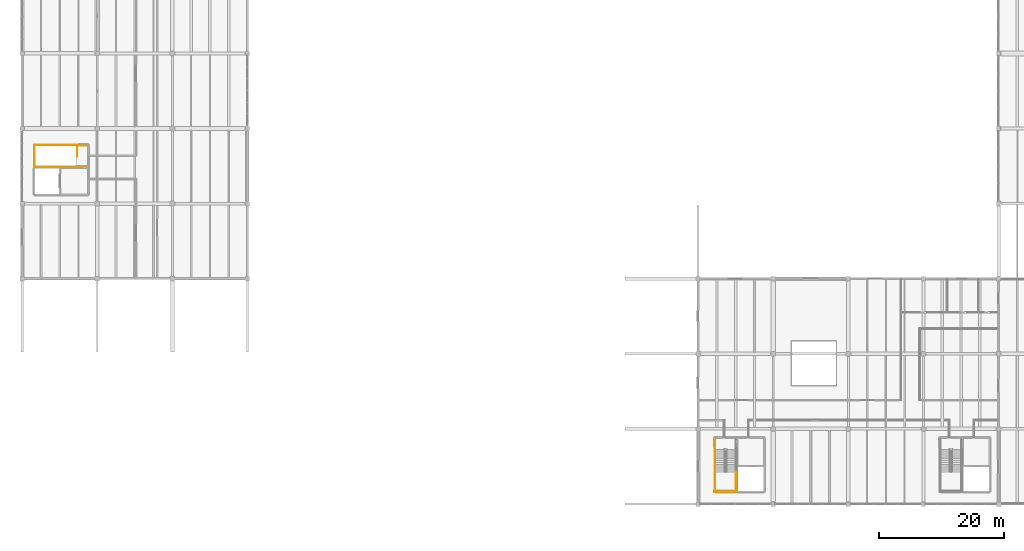
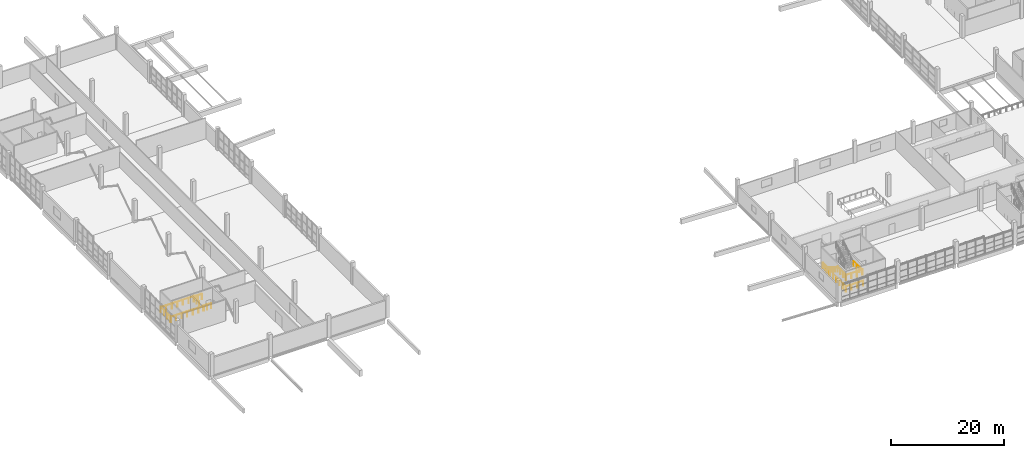
# One storey, part 44 of 49: 13 railings.
"""IFC4 building model written with IfcOpenShell, lengths in metres."""

from ifc_helpers import new_model, si_unit, direction, frame, origin, origin_2d, place, context, subcontext, project, spatial, circle, extrude, material, type_object, element, save


model = new_model("IFC4")

# Units and contexts
model_context = context("Model", 3, precision=1e-05, world=origin(), true_north=direction((0.0, 1.0)))
body_context = subcontext(model_context, "Body", "Model", "MODEL_VIEW")
ifc_project = project(units=[si_unit("LENGTHUNIT", "METRE"), si_unit("AREAUNIT", "SQUARE_METRE"), si_unit("VOLUMEUNIT", "CUBIC_METRE"), si_unit("PLANEANGLEUNIT", "RADIAN"), si_unit("MASSUNIT", "GRAM", prefix="KILO")], contexts=[model_context])

# Site, building, storey
site_placement = place(None, origin())
site = spatial("IfcSite", under=ifc_project, at=site_placement, CompositionType="ELEMENT")
building_placement = place(site_placement, origin())
building = spatial("IfcBuilding", under=site, at=building_placement, Name="Kamomehara Wholesale Market", CompositionType="ELEMENT")
storey_placement = place(building_placement, frame((0.0, 0.0, 11.39990234375)))
storey = spatial("IfcBuildingStorey", under=building, at=storey_placement, Name="L02", CompositionType="ELEMENT", Elevation=11.39990234375)

# Railings
ifc_material_1 = material(Name="Steel SN400B", Category="steel")
railing_type_1 = type_object("IfcRailingType", Name="RAL-HND-900", PredefinedType="HANDRAIL", material=ifc_material_1)
railing_1_placement = place(storey_placement, frame((110.75, 20.75, 0.184814453125)))
element("IfcRailing", 1, at=railing_1_placement, inside=storey, type_object=railing_type_1, Name="L02 ST-07 stair handrail 1", PredefinedType="HANDRAIL", context=body_context, shape_type="SweptSolid", body=[
    extrude(circle(Radius=0.02392578125, at=origin_2d()), frame((0.0, 0.0, 0.8759765625), z_axis=(0.0, -0.85167021472, 0.524078090897), x_axis=(1.0, 0.0, 0.0)), (0.0, 0.0, 1.0), 4.22705078125),
    extrude(circle(Radius=0.02099609375, at=origin_2d()), origin(), (0.0, 0.0, 1.0), 0.851806640625),
    extrude(circle(Radius=0.02099609375, at=origin_2d()), frame((0.0, -0.89990234375, 0.5537109375)), (0.0, 0.0, 1.0), 0.851806640625),
    extrude(circle(Radius=0.02099609375, at=origin_2d()), frame((0.0, -1.800048828125, 1.107666015625)), (0.0, 0.0, 1.0), 0.851806640625),
    extrude(circle(Radius=0.02099609375, at=origin_2d()), frame((0.0, -2.7001953125, 1.66162109375)), (0.0, 0.0, 1.0), 0.851806640625),
    extrude(circle(Radius=0.02099609375, at=origin_2d()), frame((0.0, -3.60009765625, 2.21533203125)), (0.0, 0.0, 1.0), 0.851806640625),
])
ifc_material_2 = material(Name="Steel SN400B", Category="steel")
railing_type_2 = type_object("IfcRailingType", Name="RAL-INT-1100", PredefinedType="BALUSTRADE", material=ifc_material_2)
railing_2_placement = place(storey_placement, frame((8.800048828125, 69.300048828125, 0.0)))
element("IfcRailing", 2, at=railing_2_placement, inside=storey, type_object=railing_type_2, Name="L02 ST-03 top well guard 1", PredefinedType="BALUSTRADE", context=body_context, shape_type="SweptSolid", body=[
    extrude(circle(Radius=0.02392578125, at=origin_2d()), frame((0.0, 0.0, 1.09619140625), z_axis=(0.0, -1.0, 0.0), x_axis=(1.0, 0.0, 0.0)), (0.0, 0.0, 1.0), 1.800048828125),
    extrude(circle(Radius=0.02099609375, at=origin_2d()), origin(), (0.0, 0.0, 1.0), 1.072021484375),
    extrude(circle(Radius=0.02099609375, at=origin_2d()), frame((0.0, -0.89990234375, 0.0)), (0.0, 0.0, 1.0), 1.072021484375),
    extrude(circle(Radius=0.02099609375, at=origin_2d()), frame((0.0, -1.800048828125, 0.0)), (0.0, 0.0, 1.0), 1.072021484375),
])
for number, where, name in (
    (3, (8.85009765625, 69.35009765625, 0.0), "L02 ST-03 top well guard 2"),
    (4, (8.85009765625, 65.85009765625, 0.0), "L02 ST-03 top well guard 3"),
):
    element("IfcRailing", number, at=place(storey_placement, frame(where)), inside=storey, type_object=railing_type_2, Name=name, PredefinedType="BALUSTRADE", context=body_context, shape_type="SweptSolid", body=[
        extrude(circle(Radius=0.02392578125, at=origin_2d()), frame((0.0, 0.0, 1.09619140625), z_axis=(-1.0, 0.0, 0.0), x_axis=(0.0, -1.0, 0.0)), (0.0, 0.0, 1.0), 6.900146484375),
        extrude(circle(Radius=0.02099609375, at=origin_2d()), origin(), (0.0, 0.0, 1.0), 1.072021484375),
        extrude(circle(Radius=0.02099609375, at=origin_2d()), frame((-1.14990234375, 0.0, 0.0)), (0.0, 0.0, 1.0), 1.072021484375),
        extrude(circle(Radius=0.02099609375, at=origin_2d()), frame((-2.300048828125, 0.0, 0.0)), (0.0, 0.0, 1.0), 1.072021484375),
        extrude(circle(Radius=0.02099609375, at=origin_2d()), frame((-3.4501953125, 0.0, 0.0)), (0.0, 0.0, 1.0), 1.072021484375),
        extrude(circle(Radius=0.02099609375, at=origin_2d()), frame((-4.60009765625, 0.0, 0.0)), (0.0, 0.0, 1.0), 1.072021484375),
        extrude(circle(Radius=0.02099609375, at=origin_2d()), frame((-5.75, 0.0, 0.0)), (0.0, 0.0, 1.0), 1.072021484375),
        extrude(circle(Radius=0.02099609375, at=origin_2d()), frame((-6.900146484375, 0.0, 0.0)), (0.0, 0.0, 1.0), 1.072021484375),
    ])
railing_3_placement = place(storey_placement, frame((2.0, 69.39990234375, 0.0)))
element("IfcRailing", 5, at=railing_3_placement, inside=storey, type_object=railing_type_2, Name="L02 ST-03 top well guard 4", PredefinedType="BALUSTRADE", context=body_context, shape_type="SweptSolid", body=[
    extrude(circle(Radius=0.02392578125, at=origin_2d()), frame((0.0, 0.0, 1.09619140625), z_axis=(0.0, -1.0, 0.0), x_axis=(1.0, 0.0, 0.0)), (0.0, 0.0, 1.0), 3.599853515625),
    extrude(circle(Radius=0.02099609375, at=origin_2d()), origin(), (0.0, 0.0, 1.0), 1.072021484375),
    extrude(circle(Radius=0.02099609375, at=origin_2d()), frame((0.0, -1.199951171875, 0.0)), (0.0, 0.0, 1.0), 1.072021484375),
    extrude(circle(Radius=0.02099609375, at=origin_2d()), frame((0.0, -2.39990234375, 0.0)), (0.0, 0.0, 1.0), 1.072021484375),
    extrude(circle(Radius=0.02099609375, at=origin_2d()), frame((0.0, -3.599853515625, 0.0)), (0.0, 0.0, 1.0), 1.072021484375),
])
for number, where, name in (
    (6, (10.35009765625, 69.25, 0.0), "L02 ST-03 top well guard 5"),
    (7, (10.35009765625, 65.949951171875, 0.0), "L02 ST-03 top well guard 6"),
):
    element("IfcRailing", number, at=place(storey_placement, frame(where)), inside=storey, type_object=railing_type_2, Name=name, PredefinedType="BALUSTRADE", context=body_context, shape_type="SweptSolid", body=[
        extrude(circle(Radius=0.02392578125, at=origin_2d()), frame((0.0, 0.0, 1.09619140625), z_axis=(-1.0, 0.0, 0.0), x_axis=(0.0, -1.0, 0.0)), (0.0, 0.0, 1.0), 1.60009765625),
        extrude(circle(Radius=0.02099609375, at=origin_2d()), origin(), (0.0, 0.0, 1.0), 1.072021484375),
        extrude(circle(Radius=0.02099609375, at=origin_2d()), frame((-0.800048828125, 0.0, 0.0)), (0.0, 0.0, 1.0), 1.072021484375),
        extrude(circle(Radius=0.02099609375, at=origin_2d()), frame((-1.60009765625, 0.0, 0.0)), (0.0, 0.0, 1.0), 1.072021484375),
    ])
for number, where, name in (
    (8, (110.75, 17.14990234375, 2.400146484375), "L02 ST-07 stair guard 3"),
    (9, (114.050048828125, 17.14990234375, 2.400146484375), "L02 ST-07 stair guard 4"),
):
    element("IfcRailing", number, at=place(storey_placement, frame(where)), inside=storey, type_object=railing_type_2, Name=name, PredefinedType="BALUSTRADE", context=body_context, shape_type="SweptSolid", body=[
        extrude(circle(Radius=0.02392578125, at=origin_2d()), frame((0.0, 0.0, 1.09619140625), z_axis=(0.0, -1.0, 0.0), x_axis=(1.0, 0.0, 0.0)), (0.0, 0.0, 1.0), 3.099853515625),
        extrude(circle(Radius=0.02099609375, at=origin_2d()), origin(), (0.0, 0.0, 1.0), 1.072021484375),
        extrude(circle(Radius=0.02099609375, at=origin_2d()), frame((0.0, -1.033203125, 0.0)), (0.0, 0.0, 1.0), 1.072021484375),
        extrude(circle(Radius=0.02099609375, at=origin_2d()), frame((0.0, -2.066650390625, 0.0)), (0.0, 0.0, 1.0), 1.072021484375),
        extrude(circle(Radius=0.02099609375, at=origin_2d()), frame((0.0, -3.099853515625, 0.0)), (0.0, 0.0, 1.0), 1.072021484375),
    ])
railing_4_placement = place(storey_placement, frame((110.699951171875, 14.10009765625, 2.400146484375)))
element("IfcRailing", 10, at=railing_4_placement, inside=storey, type_object=railing_type_2, Name="L02 ST-07 stair guard 5", PredefinedType="BALUSTRADE", context=body_context, shape_type="SweptSolid", body=[
    extrude(circle(Radius=0.02392578125, at=origin_2d()), frame((0.0, 0.0, 1.09619140625), z_axis=(1.0, 0.0, 0.0), x_axis=(0.0, 1.0, 0.0)), (0.0, 0.0, 1.0), 3.400146484375),
    extrude(circle(Radius=0.02099609375, at=origin_2d()), origin(), (0.0, 0.0, 1.0), 1.072021484375),
    extrude(circle(Radius=0.02099609375, at=origin_2d()), frame((1.13330078125, 0.0, 0.0)), (0.0, 0.0, 1.0), 1.072021484375),
    extrude(circle(Radius=0.02099609375, at=origin_2d()), frame((2.266845703125, 0.0, 0.0)), (0.0, 0.0, 1.0), 1.072021484375),
    extrude(circle(Radius=0.02099609375, at=origin_2d()), frame((3.400146484375, 0.0, 0.0)), (0.0, 0.0, 1.0), 1.072021484375),
])
railing_5_placement = place(storey_placement, frame((110.75, 22.35009765625, 0.0)))
element("IfcRailing", 11, at=railing_5_placement, inside=storey, type_object=railing_type_2, Name="L02 ST-07 stair guard 8", PredefinedType="BALUSTRADE", context=body_context, shape_type="SweptSolid", body=[
    extrude(circle(Radius=0.02392578125, at=origin_2d()), frame((0.0, 0.0, 1.09619140625), z_axis=(0.0, -1.0, 0.0), x_axis=(1.0, 0.0, 0.0)), (0.0, 0.0, 1.0), 1.60009765625),
    extrude(circle(Radius=0.02099609375, at=origin_2d()), origin(), (0.0, 0.0, 1.0), 1.072021484375),
    extrude(circle(Radius=0.02099609375, at=origin_2d()), frame((0.0, -0.800048828125, 0.0)), (0.0, 0.0, 1.0), 1.072021484375),
    extrude(circle(Radius=0.02099609375, at=origin_2d()), frame((0.0, -1.60009765625, 0.0)), (0.0, 0.0, 1.0), 1.072021484375),
])
railing_6_placement = place(storey_placement, frame((110.64990234375, 20.85009765625, 0.0)))
element("IfcRailing", 12, at=railing_6_placement, inside=storey, type_object=railing_type_2, Name="L02 ST-07 stair guard 10", PredefinedType="BALUSTRADE", context=body_context, shape_type="SweptSolid", body=[
    extrude(circle(Radius=0.02392578125, at=origin_2d()), frame((0.0, 0.0, 1.09619140625), z_axis=(0.0, -1.0, 0.0), x_axis=(1.0, 0.0, 0.0)), (0.0, 0.0, 1.0), 6.900146484375),
    extrude(circle(Radius=0.02099609375, at=origin_2d()), origin(), (0.0, 0.0, 1.0), 1.072021484375),
    extrude(circle(Radius=0.02099609375, at=origin_2d()), frame((0.0, -1.14990234375, 0.0)), (0.0, 0.0, 1.0), 1.072021484375),
    extrude(circle(Radius=0.02099609375, at=origin_2d()), frame((0.0, -2.300048828125, 0.0)), (0.0, 0.0, 1.0), 1.072021484375),
    extrude(circle(Radius=0.02099609375, at=origin_2d()), frame((0.0, -3.4501953125, 0.0)), (0.0, 0.0, 1.0), 1.072021484375),
    extrude(circle(Radius=0.02099609375, at=origin_2d()), frame((0.0, -4.60009765625, 0.0)), (0.0, 0.0, 1.0), 1.072021484375),
    extrude(circle(Radius=0.02099609375, at=origin_2d()), frame((0.0, -5.75, 0.0)), (0.0, 0.0, 1.0), 1.072021484375),
    extrude(circle(Radius=0.02099609375, at=origin_2d()), frame((0.0, -6.900146484375, 0.0)), (0.0, 0.0, 1.0), 1.072021484375),
])
railing_7_placement = place(storey_placement, frame((110.60009765625, 14.0, 0.0)))
element("IfcRailing", 13, at=railing_7_placement, inside=storey, type_object=railing_type_2, Name="L02 ST-07 stair guard 12", PredefinedType="BALUSTRADE", context=body_context, shape_type="SweptSolid", body=[
    extrude(circle(Radius=0.02392578125, at=origin_2d()), frame((0.0, 0.0, 1.09619140625), z_axis=(1.0, 0.0, 0.0), x_axis=(0.0, 1.0, 0.0)), (0.0, 0.0, 1.0), 3.599853515625),
    extrude(circle(Radius=0.02099609375, at=origin_2d()), origin(), (0.0, 0.0, 1.0), 1.072021484375),
    extrude(circle(Radius=0.02099609375, at=origin_2d()), frame((1.199951171875, 0.0, 0.0)), (0.0, 0.0, 1.0), 1.072021484375),
    extrude(circle(Radius=0.02099609375, at=origin_2d()), frame((2.39990234375, 0.0, 0.0)), (0.0, 0.0, 1.0), 1.072021484375),
    extrude(circle(Radius=0.02099609375, at=origin_2d()), frame((3.599853515625, 0.0, 0.0)), (0.0, 0.0, 1.0), 1.072021484375),
])

save(model, "model.ifc")
